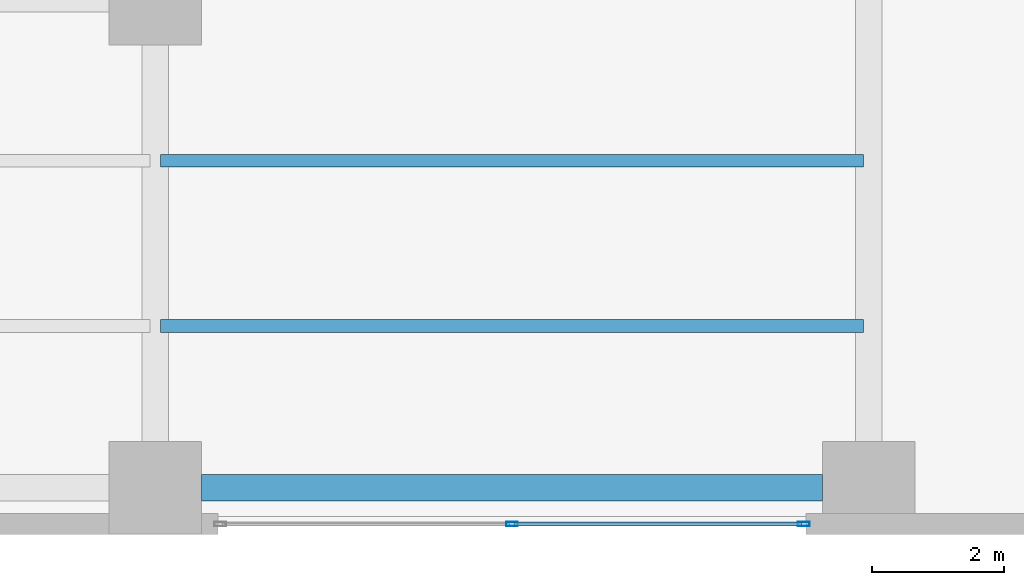
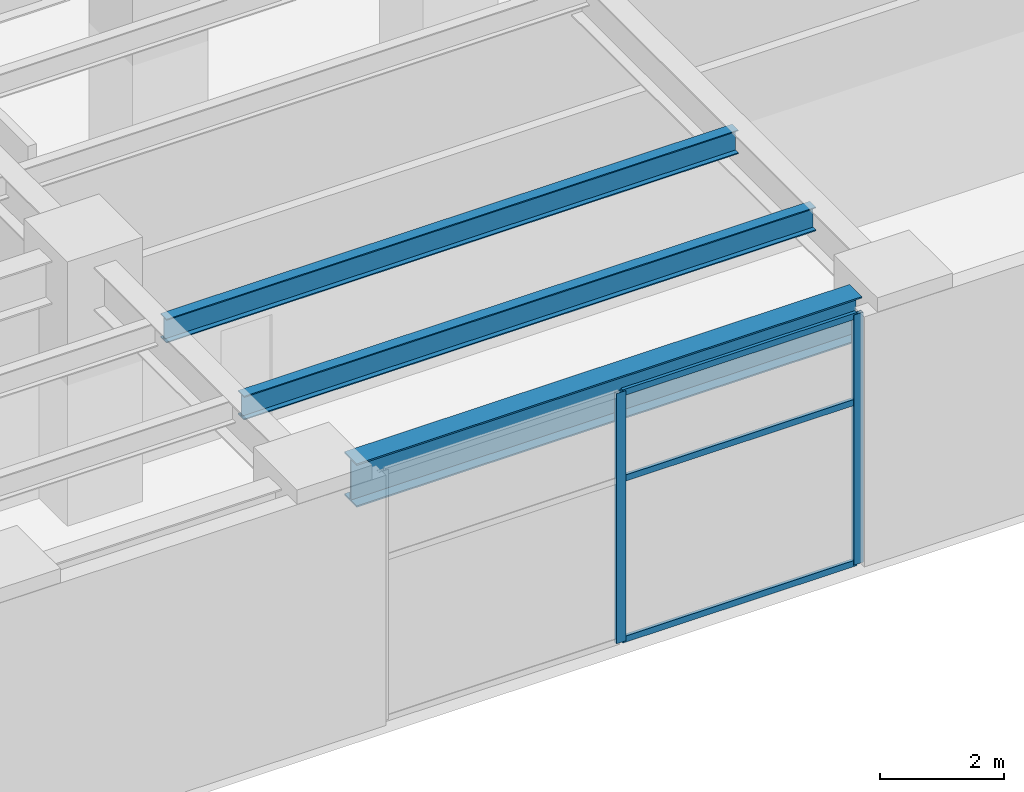
# One storey, part 7 of 29: 5 members, 3 beams, 1 element without a shape of its own.
"""IFC4 building model written with IfcOpenShell, lengths in metres."""

from ifc_helpers import new_model, si_unit, direction, frame, origin, origin_2d, place, context, subcontext, project, spatial, hollow_rectangle, i_section, extrude, material, layer, layer_set, material_profile, profile_set, type_object, element, aggregate, save


model = new_model("IFC4")

# Units and contexts
model_context = context("Model", 3, precision=1e-05, world=origin(), true_north=direction((0.0, 1.0)))
body_context = subcontext(model_context, "Body", "Model", "MODEL_VIEW")
ifc_project = project(units=[si_unit("LENGTHUNIT", "METRE"), si_unit("AREAUNIT", "SQUARE_METRE"), si_unit("VOLUMEUNIT", "CUBIC_METRE"), si_unit("PLANEANGLEUNIT", "RADIAN"), si_unit("MASSUNIT", "GRAM", prefix="KILO")], contexts=[model_context])

# Site, building, storey
site_placement = place(None, origin())
site = spatial("IfcSite", under=ifc_project, at=site_placement, CompositionType="ELEMENT")
building_placement = place(site_placement, origin())
building = spatial("IfcBuilding", under=site, at=building_placement, Name="Mawjaban Terraces University", CompositionType="ELEMENT")
storey_placement = place(building_placement, frame((0.0, 0.0, 15.60009765625)))
storey = spatial("IfcBuildingStorey", under=building, at=storey_placement, Name="L03", CompositionType="ELEMENT", Elevation=15.60009765625)

# Beams
ifc_material_1 = material(Name="Steel ASTM A572 Grade 50", Category="steel")
ifc_material_profile_1 = material_profile(ifc_material_1, i_section(OverallWidth=0.39990234375, OverallDepth=0.85498046875, WebThickness=0.018310546875, FlangeThickness=0.029296875, at=origin_2d()), Name="W840X299")
ifc_profile_set_1 = profile_set([ifc_material_profile_1], Name="Steel ASTM A572 Grade 50")
beam_type_1 = type_object("IfcBeamType", Name="Beam_B_W840X299", PredefinedType="BEAM", material=ifc_profile_set_1)
beam_placement = place(storey_placement, frame((58.5, 0.550048828125, 4.492919921875), z_axis=(1.0, 0.0, 0.0), x_axis=(0.0, 1.0, 0.0)))
element("IfcBeam", 1, at=beam_placement, inside=storey, type_object=beam_type_1, Name="L03 Beam BM-L03-EW-03", PredefinedType="BEAM", context=body_context, shape_type="SweptSolid", body=[
    extrude(i_section(OverallWidth=0.39990234375, OverallDepth=0.85498046875, WebThickness=0.018310546875, FlangeThickness=0.029296875, at=origin_2d()), origin(), (0.0, 0.0, 1.0), 9.39990234375),
])
ifc_material_profile_2 = material_profile(ifc_material_1, i_section(OverallWidth=0.194091796875, OverallDepth=0.468994140625, WebThickness=0.011474609375, FlangeThickness=0.0205078125, at=origin_2d()), Name="W460X106")
ifc_profile_set_2 = profile_set([ifc_material_profile_2], Name="Steel ASTM A572 Grade 50")
beam_type_2 = type_object("IfcBeamType", Name="Beam_J_W460X106", PredefinedType="JOIST", material=ifc_profile_set_2)
for number, where, z_axis, x_axis, name in (
    (2, (57.8798828125, 3.0, 4.684814453125), (1.0, 0.0, 0.0), (0.0, 1.0, 0.0), "L03 Composite Joist JST-L03-03"),
    (3, (57.8798828125, 5.5, 4.684814453125), (1.0, 0.0, 0.0), (0.0, 1.0, 0.0), "L03 Composite Joist JST-L03-06"),
):
    element("IfcBeam", number, at=place(storey_placement, frame(where, z_axis=z_axis, x_axis=x_axis)), inside=storey, type_object=beam_type_2, Name=name, PredefinedType="JOIST", context=body_context, shape_type="SweptSolid", body=[
        extrude(i_section(OverallWidth=0.194091796875, OverallDepth=0.468994140625, WebThickness=0.011474609375, FlangeThickness=0.0205078125, at=origin_2d()), origin(), (0.0, 0.0, 1.0), 10.64013671875),
    ])

# Curtain wall, members
ifc_material_2 = material(Name="Anodised aluminium 6063-T6 and solar-control low-E glass", Category="aluminium")
ifc_layer = layer(ifc_material_2, 0.175048828125)
ifc_layer_set = layer_set([ifc_layer], Name="Anodised aluminium 6063-T6 and solar-control low-E glass")
curtain_wall_type = type_object("IfcCurtainWallType", Name="CWSystem_02_PodiumLibrary", PredefinedType="NOTDEFINED", material=ifc_layer_set)
curtain_wall_placement = place(storey_placement, origin())
curtain_wall = element("IfcCurtainWall", 4, at=curtain_wall_placement, inside=storey, type_object=curtain_wall_type, Name="L03 Curtain Wall CW-02 Run 1.3", PredefinedType="NOTDEFINED")
ifc_material_3 = material(Name="Anodised aluminium 6063-T6", Category="aluminium")
ifc_material_profile_3 = material_profile(ifc_material_3, hollow_rectangle(XDim=0.06494140625, YDim=0.179931640625, WallThickness=0.00390625, at=origin_2d()), Name="ALU180X65X4")
ifc_profile_set_3 = profile_set([ifc_material_profile_3], Name="Anodised aluminium 6063-T6")
member_type_1 = type_object("IfcMemberType", Name="Mullion_CW-02", PredefinedType="MULLION", material=ifc_profile_set_3)
member_1_placement = place(storey_placement, frame((63.199951171875, 0.0, 0.0), z_axis=(0.0, 0.0, 1.0), x_axis=(0.0, 1.0, 0.0)))
member_1 = element("IfcMember", 5, at=member_1_placement, type_object=member_type_1, Name="CW-02 mullion 2", PredefinedType="MULLION", context=body_context, shape_type="SweptSolid", body=[
    extrude(hollow_rectangle(XDim=0.06494140625, YDim=0.179931640625, WallThickness=0.00390625, at=origin_2d()), origin(), (0.0, 0.0, 1.0), 4.919921875),
])
member_2_placement = place(storey_placement, frame((67.617431640625, 0.0, 0.0), z_axis=(0.0, 0.0, 1.0), x_axis=(0.0, 1.0, 0.0)))
member_2 = element("IfcMember", 6, at=member_2_placement, type_object=member_type_1, Name="CW-02 mullion 3", PredefinedType="MULLION", context=body_context, shape_type="SweptSolid", body=[
    extrude(hollow_rectangle(XDim=0.06494140625, YDim=0.179931640625, WallThickness=0.00390625, at=origin_2d()), origin(), (0.0, 0.0, 1.0), 4.919921875),
])
ifc_material_profile_4 = material_profile(ifc_material_3, hollow_rectangle(XDim=0.06005859375, YDim=0.1201171875, WallThickness=0.00341796875, at=origin_2d()), Name="ALU120X60X3.5")
ifc_profile_set_4 = profile_set([ifc_material_profile_4], Name="Anodised aluminium 6063-T6")
member_type_2 = type_object("IfcMemberType", Name="Transom_CW-02", PredefinedType="NOTDEFINED", material=ifc_profile_set_4)
member_3_placement = place(storey_placement, frame((63.232421875, 0.0, 0.02978515625), z_axis=(1.0, 0.0, 0.0), x_axis=(0.0, 1.0, 0.0)))
member_3 = element("IfcMember", 7, at=member_3_placement, type_object=member_type_2, Name="CW-02 transom 2.1", ObjectType="TRANSOM", PredefinedType="USERDEFINED", context=body_context, shape_type="SweptSolid", body=[
    extrude(hollow_rectangle(XDim=0.06005859375, YDim=0.1201171875, WallThickness=0.00341796875, at=origin_2d()), origin(), (0.0, 0.0, 1.0), 4.3525390625),
])
member_4_placement = place(storey_placement, frame((63.232421875, 0.0, 3.197998046875), z_axis=(1.0, 0.0, 0.0), x_axis=(0.0, 1.0, 0.0)))
member_4 = element("IfcMember", 8, at=member_4_placement, type_object=member_type_2, Name="CW-02 transom 2.2", ObjectType="TRANSOM", PredefinedType="USERDEFINED", context=body_context, shape_type="SweptSolid", body=[
    extrude(hollow_rectangle(XDim=0.06005859375, YDim=0.1201171875, WallThickness=0.00341796875, at=origin_2d()), origin(), (0.0, 0.0, 1.0), 4.3525390625),
])
member_5_placement = place(storey_placement, frame((63.232421875, 0.0, 4.889892578125), z_axis=(1.0, 0.0, 0.0), x_axis=(0.0, 1.0, 0.0)))
member_5 = element("IfcMember", 9, at=member_5_placement, type_object=member_type_2, Name="CW-02 transom 2.3", ObjectType="TRANSOM", PredefinedType="USERDEFINED", context=body_context, shape_type="SweptSolid", body=[
    extrude(hollow_rectangle(XDim=0.06005859375, YDim=0.1201171875, WallThickness=0.00341796875, at=origin_2d()), origin(), (0.0, 0.0, 1.0), 4.3525390625),
])
aggregate(curtain_wall, [member_1, member_2, member_3, member_4, member_5])

save(model, "model.ifc")
